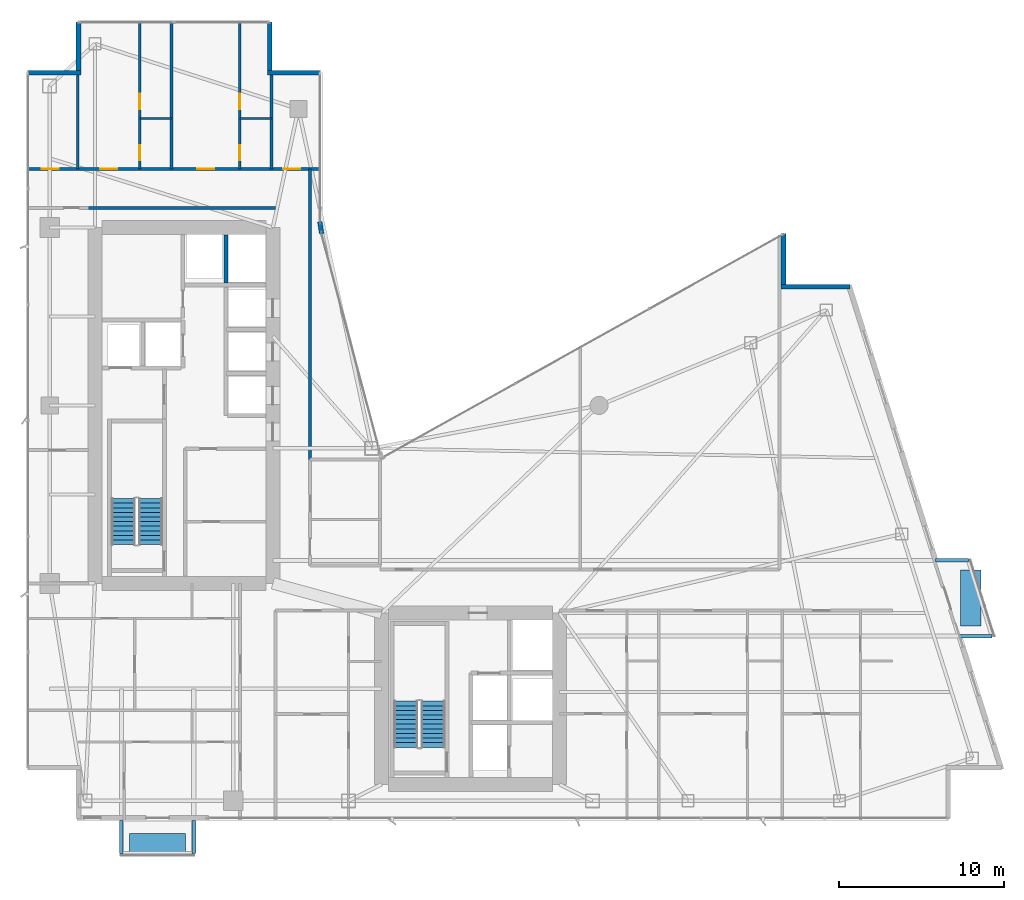
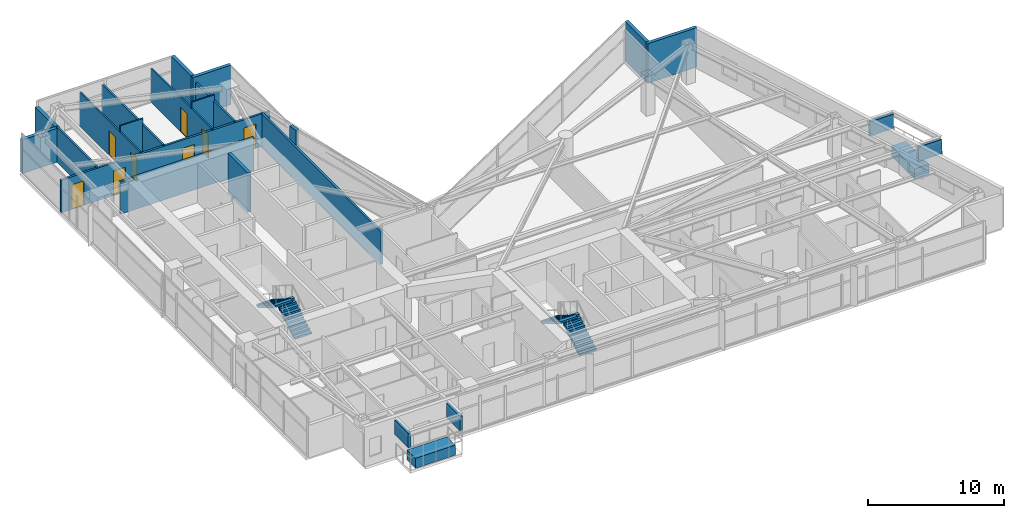
# One storey, part 25 of 28: 18 walls, 8 doors, 6 discrete accessories, 4 stair flights, 8 openings, 2 elements without a shape of their own.
"""IFC4 building model written with IfcOpenShell, lengths in metres."""

from ifc_helpers import new_model, si_unit, direction, frame, frame_2d, origin, origin_2d, place, context, subcontext, project, spatial, polyline, rectangle, outline, extrude, material, layer, layer_set, type_object, element, fill, aggregate, save


model = new_model("IFC4")

# Units and contexts
model_context = context("Model", 3, precision=1e-05, world=origin(), true_north=direction((0.0, 1.0)))
body_context = subcontext(model_context, "Body", "Model", "MODEL_VIEW")
ifc_project = project(units=[si_unit("LENGTHUNIT", "METRE"), si_unit("AREAUNIT", "SQUARE_METRE"), si_unit("VOLUMEUNIT", "CUBIC_METRE"), si_unit("PLANEANGLEUNIT", "RADIAN"), si_unit("MASSUNIT", "GRAM", prefix="KILO")], contexts=[model_context])

# Site, building, storey
site_placement = place(None, origin())
site = spatial("IfcSite", under=ifc_project, at=site_placement, CompositionType="ELEMENT")
building_placement = place(site_placement, origin())
building = spatial("IfcBuilding", under=site, at=building_placement, Name="Calvorn Quay Hotel", CompositionType="ELEMENT")
storey_placement = place(building_placement, frame((0.0, 0.0, 152.300048828125)))
storey = spatial("IfcBuildingStorey", under=building, at=storey_placement, Name="L37", CompositionType="ELEMENT", Elevation=152.300048828125)

# Wall, openings, doors
ifc_material_1 = material(Name="Acoustic Fireboard Steel-Stud Partition", Category="steel")
ifc_layer_1 = layer(ifc_material_1, 0.179931640625)
ifc_layer_set_1 = layer_set([ifc_layer_1], Name="WL-CORR-FIRE-180")
wall_type_1 = type_object("IfcWallType", Name="WL-CORR-FIRE-180", PredefinedType="PARTITIONING", material=ifc_layer_set_1)
wall_1_placement = place(storey_placement, frame((0.080078125, 41.949951171875, 0.0), z_axis=(0.0, 0.0, 1.0), x_axis=(1.0, 0.0, 0.0)))
wall_1 = element("IfcWall", 1, at=wall_1_placement, inside=storey, type_object=wall_type_1, Name="Partition Wall L37-WL-CORR-NW-N", PredefinedType="PARTITIONING", context=body_context, shape_type="SweptSolid", body=[
    extrude(rectangle(XDim=17.77001953125, YDim=0.179931640625, at=frame_2d((8.885009765625, 0.0))), origin(), (0.0, 0.0, 1.0), 2.93994140625),
])
opening_1_placement = place(wall_1_placement, frame((0.89990234375, 0.0, 0.0)))
opening_1 = element("IfcOpeningElement", 2, at=opening_1_placement, cuts=wall_1, Name="Opening D-L37-NWW", PredefinedType="OPENING", context=body_context, shape_type="SweptSolid", body=[
    extrude(rectangle(XDim=1.02001953125, YDim=2.199951171875, at=frame_2d((0.510009765625, 1.10009765625))), frame((0.0, 0.099853515625, 0.0), z_axis=(0.0, -1.0, 0.0), x_axis=(1.0, 0.0, 0.0)), (0.0, 0.0, 1.0), 0.199951171875),
])
opening_2_placement = place(wall_1_placement, frame((4.449951171875, 0.0, 0.0)))
opening_2 = element("IfcOpeningElement", 3, at=opening_2_placement, cuts=wall_1, Name="Opening D-L37-U04", PredefinedType="OPENING", context=body_context, shape_type="SweptSolid", body=[
    extrude(rectangle(XDim=1.02001953125, YDim=2.199951171875, at=frame_2d((0.510009765625, 1.10009765625))), frame((0.0, 0.099853515625, 0.0), z_axis=(0.0, -1.0, 0.0), x_axis=(1.0, 0.0, 0.0)), (0.0, 0.0, 1.0), 0.199951171875),
])
opening_3_placement = place(wall_1_placement, frame((10.330078125, 0.0, 0.0)))
opening_3 = element("IfcOpeningElement", 4, at=opening_3_placement, cuts=wall_1, Name="Opening D-L37-U05", PredefinedType="OPENING", context=body_context, shape_type="SweptSolid", body=[
    extrude(rectangle(XDim=1.02001953125, YDim=2.199951171875, at=frame_2d((0.510009765625, 1.10009765625))), frame((0.0, 0.099853515625, 0.0), z_axis=(0.0, -1.0, 0.0), x_axis=(1.0, 0.0, 0.0)), (0.0, 0.0, 1.0), 0.199951171875),
])
opening_4_placement = place(wall_1_placement, frame((15.550048828125, 0.0, 0.0)))
opening_4 = element("IfcOpeningElement", 5, at=opening_4_placement, cuts=wall_1, Name="Opening D-L37-NWE", PredefinedType="OPENING", context=body_context, shape_type="SweptSolid", body=[
    extrude(rectangle(XDim=1.02001953125, YDim=2.199951171875, at=frame_2d((0.510009765625, 1.10009765625))), frame((0.0, 0.099853515625, 0.0), z_axis=(0.0, -1.0, 0.0), x_axis=(1.0, 0.0, 0.0)), (0.0, 0.0, 1.0), 0.199951171875),
])
ifc_material_2 = material(Name="Solid-Core Walnut Veneer Hotel Fire Door")
door_type_1 = type_object("IfcDoorType", Name="DR-GUEST-ENTRY-1020", OperationType="NOTDEFINED", PredefinedType="DOOR", material=ifc_material_2)
door_1_placement = place(opening_1_placement, origin())
door_1 = element("IfcDoor", 6, at=door_1_placement, inside=storey, type_object=door_type_1, Name="West Corner Study Door (L37)", OperationType="SINGLE_SWING_LEFT", OverallHeight=2.199951171875, OverallWidth=1.02001953125, PredefinedType="DOOR", context=body_context, shape_type="SweptSolid", body=[
    extrude(rectangle(XDim=1.02001953125, YDim=2.199951171875, at=frame_2d((0.510009765625, 1.10009765625))), frame((0.0, 0.02490234375, 0.0), z_axis=(0.0, -1.0, 0.0), x_axis=(1.0, 0.0, 0.0)), (0.0, 0.0, 1.0), 0.050048828125),
])
fill(opening_1, door_1)
door_2_placement = place(opening_2_placement, origin())
door_2 = element("IfcDoor", 7, at=door_2_placement, inside=storey, type_object=door_type_1, Name="North-West Unit Door U04 (L37)", OperationType="SINGLE_SWING_RIGHT", OverallHeight=2.199951171875, OverallWidth=1.02001953125, PredefinedType="DOOR", context=body_context, shape_type="SweptSolid", body=[
    extrude(rectangle(XDim=1.02001953125, YDim=2.199951171875, at=frame_2d((0.510009765625, 1.10009765625))), frame((0.0, 0.02490234375, 0.0), z_axis=(0.0, -1.0, 0.0), x_axis=(1.0, 0.0, 0.0)), (0.0, 0.0, 1.0), 0.050048828125),
])
fill(opening_2, door_2)
door_3_placement = place(opening_3_placement, origin())
door_3 = element("IfcDoor", 8, at=door_3_placement, inside=storey, type_object=door_type_1, Name="North-West Unit Door U05 (L37)", OperationType="SINGLE_SWING_LEFT", OverallHeight=2.199951171875, OverallWidth=1.02001953125, PredefinedType="DOOR", context=body_context, shape_type="SweptSolid", body=[
    extrude(rectangle(XDim=1.02001953125, YDim=2.199951171875, at=frame_2d((0.510009765625, 1.10009765625))), frame((0.0, 0.02490234375, 0.0), z_axis=(0.0, -1.0, 0.0), x_axis=(1.0, 0.0, 0.0)), (0.0, 0.0, 1.0), 0.050048828125),
])
fill(opening_3, door_3)
door_4_placement = place(opening_4_placement, origin())
door_4 = element("IfcDoor", 9, at=door_4_placement, inside=storey, type_object=door_type_1, Name="Inner Court Study Door (L37)", OperationType="SINGLE_SWING_RIGHT", OverallHeight=2.199951171875, OverallWidth=1.02001953125, PredefinedType="DOOR", context=body_context, shape_type="SweptSolid", body=[
    extrude(rectangle(XDim=1.02001953125, YDim=2.199951171875, at=frame_2d((0.510009765625, 1.10009765625))), frame((0.0, 0.02490234375, 0.0), z_axis=(0.0, -1.0, 0.0), x_axis=(1.0, 0.0, 0.0)), (0.0, 0.0, 1.0), 0.050048828125),
])
fill(opening_4, door_4)

# Walls
wall_2_placement = place(storey_placement, frame((17.25, 24.300048828125, 0.0), z_axis=(0.0, 0.0, 1.0), x_axis=(0.0, 1.0, 0.0)))
element("IfcWall", 10, at=wall_2_placement, inside=storey, type_object=wall_type_1, Name="Partition Wall L37-WL-NW-CLOSURE-E", PredefinedType="PARTITIONING", context=body_context, shape_type="SweptSolid", body=[
    extrude(rectangle(XDim=17.64990234375, YDim=0.179931640625, at=frame_2d((8.824951171875, 0.0))), origin(), (0.0, 0.0, 1.0), 2.93994140625),
])
wall_3_placement = place(storey_placement, frame((3.7548828125, 39.60009765625, 0.0), z_axis=(0.0, 0.0, 1.0), x_axis=(1.0, 0.0, 0.0)))
element("IfcWall", 11, at=wall_3_placement, inside=storey, type_object=wall_type_1, Name="Partition Wall L37-WL-W-SPUR-S", PredefinedType="PARTITIONING", context=body_context, shape_type="SweptSolid", body=[
    extrude(rectangle(XDim=11.39501953125, YDim=0.179931640625, at=frame_2d((5.697509765625, 0.0))), origin(), (0.0, 0.0, 1.0), 2.93994140625),
])
ifc_material_3 = material(Name="Moisture-Resistant Tile-Backed Partition")
ifc_layer_2 = layer(ifc_material_3, 0.125)
ifc_layer_set_2 = layer_set([ifc_layer_2], Name="WL-ENSUITE-125")
wall_type_2 = type_object("IfcWallType", Name="WL-ENSUITE-125", PredefinedType="PARTITIONING", material=ifc_layer_set_2)
wall_4_placement = place(storey_placement, frame((6.919921875, 45.02001953125, 0.0), z_axis=(0.0, 0.0, 1.0), x_axis=(1.0, 0.0, 0.0)))
element("IfcWall", 12, at=wall_4_placement, inside=storey, type_object=wall_type_2, Name="Partition Wall L37-WL-U04-BDV", PredefinedType="PARTITIONING", context=body_context, shape_type="SweptSolid", body=[
    extrude(rectangle(XDim=1.93017578125, YDim=0.125, at=frame_2d((0.965087890625, 0.0))), origin(), (0.0, 0.0, 1.0), 3.56005859375),
])

# Wall, openings, doors
wall_5_placement = place(storey_placement, frame((6.919921875, 41.949951171875, 0.0), z_axis=(0.0, 0.0, 1.0), x_axis=(0.0, 1.0, 0.0)))
wall_5 = element("IfcWall", 13, at=wall_5_placement, inside=storey, type_object=wall_type_2, Name="Partition Wall L37-WL-U04-BV", PredefinedType="PARTITIONING", context=body_context, shape_type="SweptSolid", body=[
    extrude(rectangle(XDim=8.989990234375, YDim=0.125, at=frame_2d((4.4951171875, 0.0))), origin(), (0.0, 0.0, 1.0), 3.0400390625),
])
opening_5_placement = place(wall_5_placement, frame((0.550048828125, 0.0, 0.0)))
opening_5 = element("IfcOpeningElement", 14, at=opening_5_placement, cuts=wall_5, Name="Opening D-L37-E04", PredefinedType="OPENING", context=body_context, shape_type="SweptSolid", body=[
    extrude(rectangle(XDim=0.89990234375, YDim=2.14990234375, at=frame_2d((0.449951171875, 1.074951171875))), frame((0.0, 0.072509765625, 0.0), z_axis=(0.0, -1.0, 0.0), x_axis=(1.0, 0.0, 0.0)), (0.0, 0.0, 1.0), 0.14501953125),
])
opening_6_placement = place(wall_5_placement, frame((3.6201171875, 0.0, 0.0)))
opening_6 = element("IfcOpeningElement", 15, at=opening_6_placement, cuts=wall_5, Name="Opening D-L37-S04", PredefinedType="OPENING", context=body_context, shape_type="SweptSolid", body=[
    extrude(rectangle(XDim=0.9599609375, YDim=2.199951171875, at=frame_2d((0.47998046875, 1.10009765625))), frame((0.0, 0.072509765625, 0.0), z_axis=(0.0, -1.0, 0.0), x_axis=(1.0, 0.0, 0.0)), (0.0, 0.0, 1.0), 0.14501953125),
])
ifc_material_4 = material(Name="Moisture-Sealed Timber En-Suite Door", Category="wood")
door_type_2 = type_object("IfcDoorType", Name="DR-ENSUITE-900", OperationType="NOTDEFINED", PredefinedType="DOOR", material=ifc_material_4)
door_5_placement = place(opening_5_placement, origin())
door_5 = element("IfcDoor", 16, at=door_5_placement, inside=storey, type_object=door_type_2, Name="En-Suite Door 04", OperationType="SINGLE_SWING_LEFT", OverallHeight=2.14990234375, OverallWidth=0.89990234375, PredefinedType="DOOR", context=body_context, shape_type="SweptSolid", body=[
    extrude(rectangle(XDim=0.89990234375, YDim=2.14990234375, at=frame_2d((0.449951171875, 1.074951171875))), frame((0.0, 0.02490234375, 0.0), z_axis=(0.0, -1.0, 0.0), x_axis=(1.0, 0.0, 0.0)), (0.0, 0.0, 1.0), 0.050048828125),
])
fill(opening_5, door_5)
ifc_material_5 = material(Name="Solid Timber Internal Suite Door", Category="wood")
door_type_3 = type_object("IfcDoorType", Name="DR-SUITE-INT-960", OperationType="NOTDEFINED", PredefinedType="DOOR", material=ifc_material_5)
door_6_placement = place(opening_6_placement, origin())
door_6 = element("IfcDoor", 17, at=door_6_placement, inside=storey, type_object=door_type_3, Name="Spa Therapy Room Door 04", OperationType="SINGLE_SWING_RIGHT", OverallHeight=2.199951171875, OverallWidth=0.9599609375, PredefinedType="DOOR", context=body_context, shape_type="SweptSolid", body=[
    extrude(rectangle(XDim=0.9599609375, YDim=2.199951171875, at=frame_2d((0.47998046875, 1.10009765625))), frame((0.0, 0.02490234375, 0.0), z_axis=(0.0, -1.0, 0.0), x_axis=(1.0, 0.0, 0.0)), (0.0, 0.0, 1.0), 0.050048828125),
])
fill(opening_6, door_6)

# Wall
wall_6_placement = place(storey_placement, frame((12.989990234375, 45.02001953125, 0.0), z_axis=(0.0, 0.0, 1.0), x_axis=(1.0, 0.0, 0.0)))
element("IfcWall", 18, at=wall_6_placement, inside=storey, type_object=wall_type_2, Name="Partition Wall L37-WL-U05-BDV", PredefinedType="PARTITIONING", context=body_context, shape_type="SweptSolid", body=[
    extrude(rectangle(XDim=1.929931640625, YDim=0.125, at=frame_2d((0.96484375, 0.0))), origin(), (0.0, 0.0, 1.0), 3.56005859375),
])

# Wall, openings, doors
wall_7_placement = place(storey_placement, frame((12.989990234375, 41.949951171875, 0.0), z_axis=(0.0, 0.0, 1.0), x_axis=(0.0, 1.0, 0.0)))
wall_7 = element("IfcWall", 19, at=wall_7_placement, inside=storey, type_object=wall_type_2, Name="Partition Wall L37-WL-U05-BV", PredefinedType="PARTITIONING", context=body_context, shape_type="SweptSolid", body=[
    extrude(rectangle(XDim=8.989990234375, YDim=0.125, at=frame_2d((4.4951171875, 0.0))), origin(), (0.0, 0.0, 1.0), 3.0400390625),
])
opening_7_placement = place(wall_7_placement, frame((0.550048828125, 0.0, 0.0)))
opening_7 = element("IfcOpeningElement", 20, at=opening_7_placement, cuts=wall_7, Name="Opening D-L37-E05", PredefinedType="OPENING", context=body_context, shape_type="SweptSolid", body=[
    extrude(rectangle(XDim=0.89990234375, YDim=2.14990234375, at=frame_2d((0.449951171875, 1.074951171875))), frame((0.0, 0.072509765625, 0.0), z_axis=(0.0, -1.0, 0.0), x_axis=(1.0, 0.0, 0.0)), (0.0, 0.0, 1.0), 0.14501953125),
])
opening_8_placement = place(wall_7_placement, frame((3.6201171875, 0.0, 0.0)))
opening_8 = element("IfcOpeningElement", 21, at=opening_8_placement, cuts=wall_7, Name="Opening D-L37-S05", PredefinedType="OPENING", context=body_context, shape_type="SweptSolid", body=[
    extrude(rectangle(XDim=0.9599609375, YDim=2.199951171875, at=frame_2d((0.47998046875, 1.10009765625))), frame((0.0, 0.072509765625, 0.0), z_axis=(0.0, -1.0, 0.0), x_axis=(1.0, 0.0, 0.0)), (0.0, 0.0, 1.0), 0.14501953125),
])
door_7_placement = place(opening_7_placement, origin())
door_7 = element("IfcDoor", 22, at=door_7_placement, inside=storey, type_object=door_type_2, Name="En-Suite Door 05", OperationType="SINGLE_SWING_LEFT", OverallHeight=2.14990234375, OverallWidth=0.89990234375, PredefinedType="DOOR", context=body_context, shape_type="SweptSolid", body=[
    extrude(rectangle(XDim=0.89990234375, YDim=2.14990234375, at=frame_2d((0.449951171875, 1.074951171875))), frame((0.0, 0.02490234375, 0.0), z_axis=(0.0, -1.0, 0.0), x_axis=(1.0, 0.0, 0.0)), (0.0, 0.0, 1.0), 0.050048828125),
])
fill(opening_7, door_7)
door_8_placement = place(opening_8_placement, origin())
door_8 = element("IfcDoor", 23, at=door_8_placement, inside=storey, type_object=door_type_3, Name="Spa Therapy Room Door 05", OperationType="SINGLE_SWING_RIGHT", OverallHeight=2.199951171875, OverallWidth=0.9599609375, PredefinedType="DOOR", context=body_context, shape_type="SweptSolid", body=[
    extrude(rectangle(XDim=0.9599609375, YDim=2.199951171875, at=frame_2d((0.47998046875, 1.10009765625))), frame((0.0, 0.02490234375, 0.0), z_axis=(0.0, -1.0, 0.0), x_axis=(1.0, 0.0, 0.0)), (0.0, 0.0, 1.0), 0.050048828125),
])
fill(opening_8, door_8)

# Walls
ifc_material_6 = material(Name="Concrete C40", Category="concrete")
ifc_layer_3 = layer(ifc_material_6, 0.320068359375)
ifc_layer_set_3 = layer_set([ifc_layer_3], Name="WL-EXT-SPANDREL-320")
wall_type_3 = type_object("IfcWallType", Name="WL-EXT-SPANDREL-320", PredefinedType="SOLIDWALL", material=ifc_layer_set_3)
wall_8_placement = place(storey_placement, frame((17.9619140625, 38.030029296875, 0.0), z_axis=(0.0, 0.0, 1.0), x_axis=(-0.15141125477, 0.988470855377, 0.0)))
element("IfcWall", 24, at=wall_8_placement, inside=storey, type_object=wall_type_3, Name="Inner Court Corner Pier L37-ICJ2", PredefinedType="SOLIDWALL", context=body_context, shape_type="SweptSolid", body=[
    extrude(rectangle(XDim=0.738525390625, YDim=0.280029296875, at=frame_2d((0.369140625, 0.0))), origin(), (0.0, 0.0, 1.0), 3.56005859375),
])
wall_9_placement = place(storey_placement, frame((50.0400390625, 34.800048828125, 0.0), z_axis=(0.0, 0.0, 1.0), x_axis=(-1.0, 0.0, 0.0)))
element("IfcWall", 25, at=wall_9_placement, inside=storey, type_object=wall_type_3, Name="Notched Corner Spandrel L37-NE1", PredefinedType="SOLIDWALL", context=body_context, shape_type="SweptSolid", body=[
    extrude(rectangle(XDim=4.179931640625, YDim=0.280029296875, at=frame_2d((2.08984375, 0.0))), origin(), (0.0, 0.0, 1.0), 3.56005859375),
])
wall_10_placement = place(storey_placement, frame((46.0, 34.93994140625, 0.0), z_axis=(0.0, 0.0, 1.0), x_axis=(0.0, 1.0, 0.0)))
element("IfcWall", 26, at=wall_10_placement, inside=storey, type_object=wall_type_3, Name="Notched Corner Spandrel L37-NE2", PredefinedType="SOLIDWALL", context=body_context, shape_type="SweptSolid", body=[
    extrude(rectangle(XDim=3.10009765625, YDim=0.280029296875, at=frame_2d((1.550048828125, 0.0))), origin(), (0.0, 0.0, 1.0), 3.56005859375),
])
wall_11_placement = place(storey_placement, frame((17.89990234375, 47.800048828125, 0.0), z_axis=(0.0, 0.0, 1.0), x_axis=(-1.0, 0.0, 0.0)))
element("IfcWall", 27, at=wall_11_placement, inside=storey, type_object=wall_type_3, Name="Notched Corner Spandrel L37-NWE1", PredefinedType="SOLIDWALL", context=body_context, shape_type="SweptSolid", body=[
    extrude(rectangle(XDim=3.239990234375, YDim=0.280029296875, at=frame_2d((1.6201171875, 0.0))), origin(), (0.0, 0.0, 1.0), 3.56005859375),
])
wall_12_placement = place(storey_placement, frame((14.800048828125, 47.93994140625, 0.0), z_axis=(0.0, 0.0, 1.0), x_axis=(0.0, 1.0, 0.0)))
element("IfcWall", 28, at=wall_12_placement, inside=storey, type_object=wall_type_3, Name="Notched Corner Spandrel L37-NWE2", PredefinedType="SOLIDWALL", context=body_context, shape_type="SweptSolid", body=[
    extrude(rectangle(XDim=2.93994140625, YDim=0.280029296875, at=frame_2d((1.469970703125, 0.0))), origin(), (0.0, 0.0, 1.0), 3.56005859375),
])
wall_13_placement = place(storey_placement, frame((3.199951171875, 50.8798828125, 0.0), z_axis=(0.0, 0.0, 1.0), x_axis=(0.0, -1.0, 0.0)))
element("IfcWall", 29, at=wall_13_placement, inside=storey, type_object=wall_type_3, Name="Notched Corner Spandrel L37-NW1", PredefinedType="SOLIDWALL", context=body_context, shape_type="SweptSolid", body=[
    extrude(rectangle(XDim=2.93994140625, YDim=0.280029296875, at=frame_2d((1.469970703125, 0.0))), origin(), (0.0, 0.0, 1.0), 3.0400390625),
])
wall_14_placement = place(storey_placement, frame((3.340087890625, 47.800048828125, 0.0), z_axis=(0.0, 0.0, 1.0), x_axis=(-1.0, 0.0, 0.0)))
element("IfcWall", 30, at=wall_14_placement, inside=storey, type_object=wall_type_3, Name="Notched Corner Spandrel L37-NW2", PredefinedType="SOLIDWALL", context=body_context, shape_type="SweptSolid", body=[
    extrude(rectangle(XDim=3.219970703125, YDim=0.280029296875, at=frame_2d((1.60986328125, 0.0))), origin(), (0.0, 0.0, 1.0), 3.0400390625),
])
ifc_material_7 = material(Name="Double-Stud Acoustic Gypsum Partition")
ifc_layer_4 = layer(ifc_material_7, 0.159912109375)
ifc_layer_set_4 = layer_set([ifc_layer_4], Name="WL-INTERSUITE-160")
wall_type_4 = type_object("IfcWallType", Name="WL-INTERSUITE-160", PredefinedType="PARTITIONING", material=ifc_layer_set_4)
wall_15_placement = place(storey_placement, frame((3.14990234375, 41.949951171875, 0.0), z_axis=(0.0, 0.0, 1.0), x_axis=(0.0, 1.0, 0.0)))
element("IfcWall", 31, at=wall_15_placement, inside=storey, type_object=wall_type_4, Name="Partition Wall L37-WL-NW-DIV-W0", PredefinedType="PARTITIONING", context=body_context, shape_type="SweptSolid", body=[
    extrude(rectangle(XDim=5.85009765625, YDim=0.159912109375, at=frame_2d((2.925048828125, 0.0))), origin(), (0.0, 0.0, 1.0), 3.139892578125),
])
wall_16_placement = place(storey_placement, frame((14.919921875, 41.949951171875, 0.0), z_axis=(0.0, 0.0, 1.0), x_axis=(0.0, 1.0, 0.0)))
element("IfcWall", 32, at=wall_16_placement, inside=storey, type_object=wall_type_4, Name="Partition Wall L37-WL-NW-DIV-E0", PredefinedType="PARTITIONING", context=body_context, shape_type="SweptSolid", body=[
    extrude(rectangle(XDim=5.85009765625, YDim=0.159912109375, at=frame_2d((2.925048828125, 0.0))), origin(), (0.0, 0.0, 1.0), 3.0400390625),
])
wall_17_placement = place(storey_placement, frame((8.85009765625, 41.949951171875, 0.0), z_axis=(0.0, 0.0, 1.0), x_axis=(0.0, 1.0, 0.0)))
element("IfcWall", 33, at=wall_17_placement, inside=storey, type_object=wall_type_4, Name="Partition Wall L37-WL-NW-DIV-1", PredefinedType="PARTITIONING", context=body_context, shape_type="SweptSolid", body=[
    extrude(rectangle(XDim=8.989990234375, YDim=0.159912109375, at=frame_2d((4.4951171875, 0.0))), origin(), (0.0, 0.0, 1.0), 3.0400390625),
])
ifc_material_8 = material(Name="Concrete C40", Category="concrete")
ifc_layer_5 = layer(ifc_material_8, 0.239990234375)
ifc_layer_set_5 = layer_set([ifc_layer_5], Name="WL-SHAFT-240")
wall_type_5 = type_object("IfcWallType", Name="WL-SHAFT-240", PredefinedType="SOLIDWALL", material=ifc_layer_set_5)
wall_18_placement = place(storey_placement, frame((12.14990234375, 35.02001953125, 0.0), z_axis=(0.0, 0.0, 1.0), x_axis=(0.0, 1.0, 0.0)))
element("IfcWall", 34, at=wall_18_placement, inside=storey, type_object=wall_type_5, Name="Partition Wall L37-WL-CWW-PLH-DIV", PredefinedType="SOLIDWALL", context=body_context, shape_type="SweptSolid", body=[
    extrude(rectangle(XDim=2.93505859375, YDim=0.239990234375, at=frame_2d((1.467529296875, 0.0))), origin(), (0.0, 0.0, 1.0), 3.56005859375),
])

# Stair, stair flights
ifc_material_9 = material(Name="Concrete C40", Category="concrete")
stair_type = type_object("IfcStairType", Name="STR-CORE-DOGLEG", PredefinedType="HALF_TURN_STAIR", material=ifc_material_9)
stair_1_placement = place(storey_placement, origin())
stair_1 = element("IfcStair", 35, at=stair_1_placement, inside=storey, type_object=stair_type, Name="L37 ST-W", PredefinedType="HALF_TURN_STAIR")
ifc_material_10 = material(Name="Concrete C40", Category="concrete")
stair_flight_type = type_object("IfcStairFlightType", Name="FLT-CORE-1550", PredefinedType="STRAIGHT", material=ifc_material_10)
stair_flight_1_placement = place(storey_placement, frame((7.574951171875, 19.14990234375, 0.0), z_axis=(0.0, 0.0, 1.0), x_axis=(0.0, 1.0, 0.0)))
stair_flight_1 = element("IfcStairFlight", 36, at=stair_flight_1_placement, type_object=stair_flight_type, Name="ST-W flight 1", NumberOfRisers=11, NumberOfTreads=10, PredefinedType="STRAIGHT", RiserHeight=0.172727273, TreadLength=0.28, context=body_context, shape_type="SweptSolid", body=[
    extrude(outline(polyline([(0.0, 0.0), (0.0, 0.172607421875), (0.280029296875, 0.172607421875), (0.280029296875, 0.345458984375), (0.56005859375, 0.345458984375), (0.56005859375, 0.51806640625), (0.840087890625, 0.51806640625), (0.840087890625, 0.69091796875), (1.1201171875, 0.69091796875), (1.1201171875, 0.863525390625), (1.39990234375, 0.863525390625), (1.39990234375, 1.036376953125), (1.679931640625, 1.036376953125), (1.679931640625, 1.208984375), (1.9599609375, 1.208984375), (1.9599609375, 1.3818359375), (2.239990234375, 1.3818359375), (2.239990234375, 1.554443359375), (2.52001953125, 1.554443359375), (2.52001953125, 1.727294921875), (2.800048828125, 1.727294921875), (2.800048828125, 1.89990234375), (2.800048828125, 1.551025390625), (0.285400390625, 0.0), (0.0, 0.0)])), frame((0.0, 0.72509765625, 0.0), z_axis=(0.0, -1.0, 0.0), x_axis=(1.0, 0.0, 0.0)), (0.0, 0.0, 1.0), 1.449951171875),
])
stair_flight_2_placement = place(storey_placement, frame((5.925048828125, 21.949951171875, 1.89990234375), z_axis=(0.0, 0.0, 1.0), x_axis=(0.0, -1.0, 0.0)))
stair_flight_2 = element("IfcStairFlight", 37, at=stair_flight_2_placement, type_object=stair_flight_type, Name="ST-W flight 2", NumberOfRisers=11, NumberOfTreads=10, PredefinedType="STRAIGHT", RiserHeight=0.172727273, TreadLength=0.28, context=body_context, shape_type="SweptSolid", body=[
    extrude(outline(polyline([(0.0, 0.0), (0.0, 0.172607421875), (0.280029296875, 0.172607421875), (0.280029296875, 0.345458984375), (0.56005859375, 0.345458984375), (0.56005859375, 0.51806640625), (0.840087890625, 0.51806640625), (0.840087890625, 0.69091796875), (1.1201171875, 0.69091796875), (1.1201171875, 0.863525390625), (1.39990234375, 0.863525390625), (1.39990234375, 1.036376953125), (1.679931640625, 1.036376953125), (1.679931640625, 1.208984375), (1.9599609375, 1.208984375), (1.9599609375, 1.3818359375), (2.239990234375, 1.3818359375), (2.239990234375, 1.554443359375), (2.52001953125, 1.554443359375), (2.52001953125, 1.727294921875), (2.800048828125, 1.727294921875), (2.800048828125, 1.89990234375), (2.800048828125, 1.551025390625), (0.285400390625, 0.0), (0.0, 0.0)])), frame((0.0, 0.72509765625, 0.0), z_axis=(0.0, -1.0, 0.0), x_axis=(1.0, 0.0, 0.0)), (0.0, 0.0, 1.0), 1.449951171875),
])
aggregate(stair_1, [stair_flight_1, stair_flight_2])

stair_2_placement = place(storey_placement, origin())
stair_2 = element("IfcStair", 38, at=stair_2_placement, inside=storey, type_object=stair_type, Name="L37 ST-E", PredefinedType="HALF_TURN_STAIR")
stair_flight_3_placement = place(storey_placement, frame((24.72509765625, 6.85009765625, 0.0), z_axis=(0.0, 0.0, 1.0), x_axis=(0.0, 1.0, 0.0)))
stair_flight_3 = element("IfcStairFlight", 39, at=stair_flight_3_placement, type_object=stair_flight_type, Name="ST-E flight 1", NumberOfRisers=11, NumberOfTreads=10, PredefinedType="STRAIGHT", RiserHeight=0.172727273, TreadLength=0.28, context=body_context, shape_type="SweptSolid", body=[
    extrude(outline(polyline([(0.0, 0.0), (0.0, 0.172607421875), (0.280029296875, 0.172607421875), (0.280029296875, 0.345458984375), (0.56005859375, 0.345458984375), (0.56005859375, 0.51806640625), (0.840087890625, 0.51806640625), (0.840087890625, 0.69091796875), (1.1201171875, 0.69091796875), (1.1201171875, 0.863525390625), (1.39990234375, 0.863525390625), (1.39990234375, 1.036376953125), (1.679931640625, 1.036376953125), (1.679931640625, 1.208984375), (1.9599609375, 1.208984375), (1.9599609375, 1.3818359375), (2.239990234375, 1.3818359375), (2.239990234375, 1.554443359375), (2.52001953125, 1.554443359375), (2.52001953125, 1.727294921875), (2.800048828125, 1.727294921875), (2.800048828125, 1.89990234375), (2.800048828125, 1.551025390625), (0.285400390625, 0.0), (0.0, 0.0)])), frame((0.0, 0.72509765625, 0.0), z_axis=(0.0, -1.0, 0.0), x_axis=(1.0, 0.0, 0.0)), (0.0, 0.0, 1.0), 1.449951171875),
])
stair_flight_4_placement = place(storey_placement, frame((23.074951171875, 9.64990234375, 1.89990234375), z_axis=(0.0, 0.0, 1.0), x_axis=(0.0, -1.0, 0.0)))
stair_flight_4 = element("IfcStairFlight", 40, at=stair_flight_4_placement, type_object=stair_flight_type, Name="ST-E flight 2", NumberOfRisers=11, NumberOfTreads=10, PredefinedType="STRAIGHT", RiserHeight=0.172727273, TreadLength=0.28, context=body_context, shape_type="SweptSolid", body=[
    extrude(outline(polyline([(0.0, 0.0), (0.0, 0.172607421875), (0.280029296875, 0.172607421875), (0.280029296875, 0.345458984375), (0.56005859375, 0.345458984375), (0.56005859375, 0.51806640625), (0.840087890625, 0.51806640625), (0.840087890625, 0.69091796875), (1.1201171875, 0.69091796875), (1.1201171875, 0.863525390625), (1.39990234375, 0.863525390625), (1.39990234375, 1.036376953125), (1.679931640625, 1.036376953125), (1.679931640625, 1.208984375), (1.9599609375, 1.208984375), (1.9599609375, 1.3818359375), (2.239990234375, 1.3818359375), (2.239990234375, 1.554443359375), (2.52001953125, 1.554443359375), (2.52001953125, 1.727294921875), (2.800048828125, 1.727294921875), (2.800048828125, 1.89990234375), (2.800048828125, 1.551025390625), (0.285400390625, 0.0), (0.0, 0.0)])), frame((0.0, 0.72509765625, 0.0), z_axis=(0.0, -1.0, 0.0), x_axis=(1.0, 0.0, 0.0)), (0.0, 0.0, 1.0), 1.449951171875),
])
aggregate(stair_2, [stair_flight_3, stair_flight_4])

# Discrete accessories
ifc_material_11 = material(Name="Steel Q355B", Category="steel")
discrete_accessory_type_1 = type_object("IfcDiscreteAccessoryType", Name="ACC-BALC-STRUT", PredefinedType="BRACKET", material=ifc_material_11)
for number, where, z_axis, x_axis, name in (
    (41, (57.674072265625, 13.60009765625, 2.01513671875), (0.0, 0.0, 1.0), (1.0, 0.0, 0.0), "Exterior Balcony Steel Bracket L38-BALC-E-A"),
    (42, (56.22509765625, 18.199951171875, 2.01513671875), (0.0, 0.0, 1.0), (1.0, 0.0, 0.0), "Exterior Balcony Steel Bracket L38-BALC-E-B"),
):
    element("IfcDiscreteAccessory", number, at=place(storey_placement, frame(where, z_axis=z_axis, x_axis=x_axis)), inside=storey, type_object=discrete_accessory_type_1, Name=name, PredefinedType="BRACKET", context=body_context, shape_type="SweptSolid", body=[
        extrude(rectangle(XDim=1.989990234375, YDim=0.219970703125, at=origin_2d()), origin(), (0.0, 0.0, 1.0), 1.300048828125),
    ])
for number, where, z_axis, x_axis, name in (
    (43, (5.800048828125, 1.405029296875, 2.01513671875), (0.0, 0.0, 1.0), (1.0, 0.0, 0.0), "Exterior Balcony Steel Bracket L38-BALC-S-A"),
    (44, (10.199951171875, 1.405029296875, 2.01513671875), (0.0, 0.0, 1.0), (1.0, 0.0, 0.0), "Exterior Balcony Steel Bracket L38-BALC-S-B"),
):
    element("IfcDiscreteAccessory", number, at=place(storey_placement, frame(where, z_axis=z_axis, x_axis=x_axis)), inside=storey, type_object=discrete_accessory_type_1, Name=name, PredefinedType="BRACKET", context=body_context, shape_type="SweptSolid", body=[
        extrude(rectangle(XDim=0.219970703125, YDim=1.989990234375, at=origin_2d()), origin(), (0.0, 0.0, 1.0), 1.300048828125),
    ])
ifc_material_12 = material(Name="Precast concrete C40", Category="concrete")
discrete_accessory_type_2 = type_object("IfcDiscreteAccessoryType", Name="ACC-TREE-PLANTER", PredefinedType="USERDEFINED", material=ifc_material_12)
discrete_accessory_1_placement = place(storey_placement, frame((57.364013671875, 15.89990234375, 0.0), z_axis=(0.0, 0.0, 1.0), x_axis=(1.0, 0.0, 0.0)))
element("IfcDiscreteAccessory", 45, at=discrete_accessory_1_placement, inside=storey, type_object=discrete_accessory_type_2, Name="Subtropical Tree Structural Planter L37-BALC-E", ObjectType="PLANTER", PredefinedType="USERDEFINED", context=body_context, shape_type="SweptSolid", body=[
    extrude(rectangle(XDim=1.25, YDim=3.39990234375, at=origin_2d()), origin(), (0.0, 0.0, 1.0), 0.89990234375),
])
discrete_accessory_2_placement = place(storey_placement, frame((8.0, 0.989990234375, 0.0), z_axis=(0.0, 0.0, 1.0), x_axis=(1.0, 0.0, 0.0)))
element("IfcDiscreteAccessory", 46, at=discrete_accessory_2_placement, inside=storey, type_object=discrete_accessory_type_2, Name="Subtropical Tree Structural Planter L37-BALC-S", ObjectType="PLANTER", PredefinedType="USERDEFINED", context=body_context, shape_type="SweptSolid", body=[
    extrude(rectangle(XDim=3.39990234375, YDim=1.25, at=origin_2d()), origin(), (0.0, 0.0, 1.0), 0.89990234375),
])

save(model, "model.ifc")
